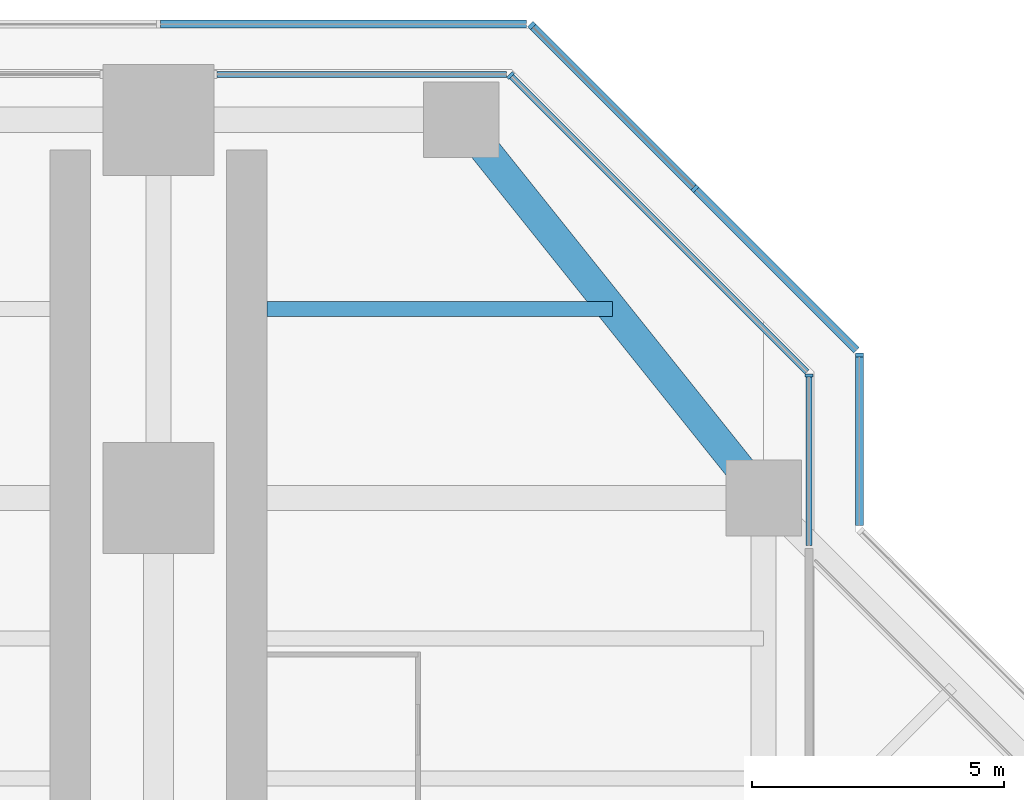
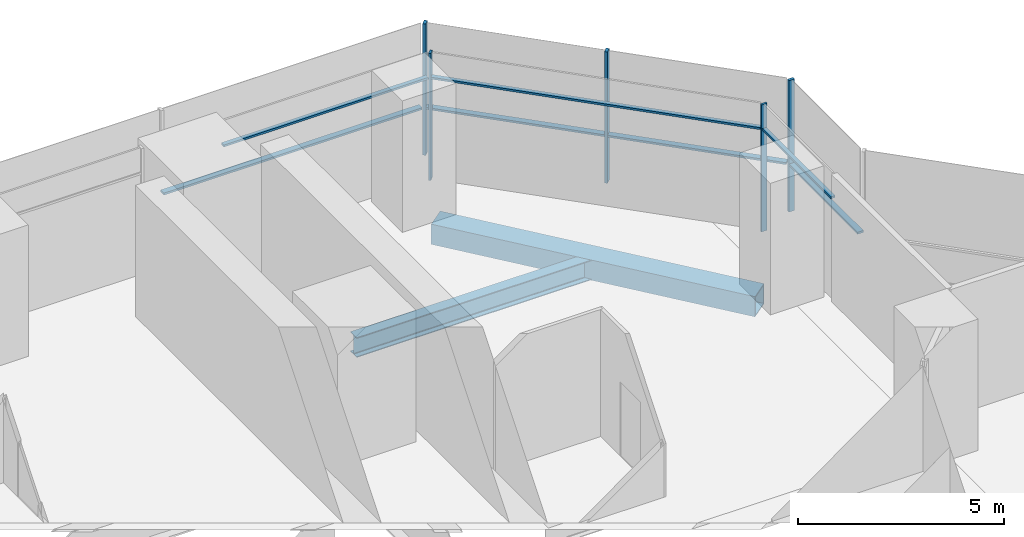
# One storey, part 9 of 17: 12 members, 2 beams, 6 elements without a shape of their own.
"""IFC4 building model written with IfcOpenShell, lengths in metres."""

from ifc_helpers import new_model, si_unit, direction, frame, origin, origin_2d, place, context, subcontext, project, spatial, rectangle, hollow_rectangle, i_section, extrude, material, material_profile, profile_set, type_object, element, aggregate, save


model = new_model("IFC4")

# Units and contexts
model_context = context("Model", 3, precision=1e-05, world=origin(), true_north=direction((0.0, 1.0)))
body_context = subcontext(model_context, "Body", "Model", "MODEL_VIEW")
ifc_project = project(units=[si_unit("LENGTHUNIT", "METRE"), si_unit("AREAUNIT", "SQUARE_METRE"), si_unit("VOLUMEUNIT", "CUBIC_METRE"), si_unit("PLANEANGLEUNIT", "RADIAN"), si_unit("MASSUNIT", "GRAM", prefix="KILO")], contexts=[model_context])

# Site, building, storey
site_placement = place(None, origin())
site = spatial("IfcSite", under=ifc_project, at=site_placement, CompositionType="ELEMENT")
building_placement = place(site_placement, origin())
building = spatial("IfcBuilding", under=site, at=building_placement, Name="Mizan Broadcast Tower", CompositionType="ELEMENT")
storey_placement = place(building_placement, frame((0.0, 0.0, 208.800048828125)))
storey = spatial("IfcBuildingStorey", under=building, at=storey_placement, Name="L48", CompositionType="ELEMENT", Elevation=208.800048828125)

# Beam
ifc_material_1 = material(Name="Steel S355", Category="steel")
ifc_material_profile_1 = material_profile(ifc_material_1, hollow_rectangle(XDim=0.60009765625, YDim=0.60009765625, WallThickness=0.030029296875, at=origin_2d()), Name="BOX 600x600x30")
ifc_profile_set_1 = profile_set([ifc_material_profile_1], Name="Steel S355")
beam_type_1 = type_object("IfcBeamType", Name="EDGE BEAM BOX 600x600x30", PredefinedType="SPANDREL", material=ifc_profile_set_1)
beam_1_placement = place(storey_placement, frame((11.639892578125, 19.949951171875, -0.429931640625), z_axis=(-0.624673911726, 0.780885717636, 0.0), x_axis=(-0.780885717636, -0.624673911726, 0.0)))
element("IfcBeam", 1, at=beam_1_placement, inside=storey, type_object=beam_type_1, Name="Edge beam BOX 600x600x30 L48 north arm", PredefinedType="SPANDREL", context=body_context, shape_type="SweptSolid", body=[
    extrude(hollow_rectangle(XDim=0.60009765625, YDim=0.60009765625, WallThickness=0.030029296875, at=origin_2d()), origin(), (0.0, 0.0, 1.0), 8.4521484375),
])

# Curtain wall, member
ifc_material_2 = material(Name="Aluminium framed glazing", Category="aluminium")
curtain_wall_type_1 = type_object("IfcCurtainWallType", Name="INNER SKIN HIGH ZONE", PredefinedType="USERDEFINED", material=ifc_material_2)
curtain_wall_1_placement = place(storey_placement, origin())
curtain_wall_1 = element("IfcCurtainWall", 2, at=curtain_wall_1_placement, inside=storey, type_object=curtain_wall_type_1, Name="Inner skin high zone L48 N side", ObjectType="INNER SKIN HIGH ZONE", PredefinedType="USERDEFINED")
ifc_material_3 = material(Name="Aluminium, pale anodised", Category="aluminium")
ifc_material_profile_2 = material_profile(ifc_material_3, rectangle(XDim=0.159912109375, YDim=0.06005859375, at=origin_2d()), Name="MULLION 160x60")
ifc_profile_set_2 = profile_set([ifc_material_profile_2], Name="Aluminium, pale anodised")
member_type_1 = type_object("IfcMemberType", Name="INNER SKIN MULLION 60x160", PredefinedType="MULLION", material=ifc_profile_set_2)
member_1_placement = place(storey_placement, frame((12.89990234375, 21.928466796875, 0.0), z_axis=(0.0, 0.0, 1.0), x_axis=(-1.0, 0.0, 0.0)))
member_1 = element("IfcMember", 3, at=member_1_placement, type_object=member_type_1, Name="Inner skin high zone L48 N side mullion 2", PredefinedType="MULLION", context=body_context, shape_type="SweptSolid", body=[
    extrude(rectangle(XDim=0.159912109375, YDim=0.06005859375, at=origin_2d()), origin(), (0.0, 0.0, 1.0), 3.77001953125),
])

curtain_wall_2_placement = place(storey_placement, origin())
curtain_wall_2 = element("IfcCurtainWall", 4, at=curtain_wall_2_placement, inside=storey, type_object=curtain_wall_type_1, Name="Inner skin high zone L48 N chamfer", ObjectType="INNER SKIN HIGH ZONE", PredefinedType="USERDEFINED")
member_2_placement = place(storey_placement, frame((6.979736328125, 27.87890625, 0.0), z_axis=(0.0, 0.0, 1.0), x_axis=(-0.707106781187, -0.707106781187, 0.0)))
member_2 = element("IfcMember", 5, at=member_2_placement, type_object=member_type_1, Name="Inner skin high zone L48 N chamfer mullion 2", PredefinedType="MULLION", context=body_context, shape_type="SweptSolid", body=[
    extrude(rectangle(XDim=0.159912109375, YDim=0.06005859375, at=origin_2d()), origin(), (0.0, 0.0, 1.0), 3.77001953125),
])

# Member
ifc_material_4 = material(Name="Aluminium, pale anodised", Category="aluminium")
ifc_material_profile_3 = material_profile(ifc_material_4, rectangle(XDim=0.1201171875, YDim=0.06005859375, at=origin_2d()), Name="TRANSOM 120x60")
ifc_profile_set_3 = profile_set([ifc_material_profile_3], Name="Aluminium, pale anodised")
member_type_2 = type_object("IfcMemberType", Name="INNER SKIN TRANSOM 60x120", PredefinedType="USERDEFINED", material=ifc_profile_set_3)
member_3_placement = place(storey_placement, frame((12.89990234375, 18.56005859375, 3.030029296875), z_axis=(0.0, 1.0, 0.0), x_axis=(-1.0, 0.0, 0.0)))
member_3 = element("IfcMember", 6, at=member_3_placement, type_object=member_type_2, Name="Inner skin high zone L48 N side transom 1.1", ObjectType="TRANSOM", PredefinedType="USERDEFINED", context=body_context, shape_type="SweptSolid", body=[
    extrude(rectangle(XDim=0.1201171875, YDim=0.06005859375, at=origin_2d()), origin(), (0.0, 0.0, 1.0), 3.338623046875),
])

aggregate(curtain_wall_1, [member_1, member_3])

member_4_placement = place(storey_placement, frame((12.857666015625, 22.0009765625, 3.030029296875), z_axis=(-0.707106781187, 0.707106781187, 0.0), x_axis=(-0.707106781187, -0.707106781187, 0.0)))
member_4 = element("IfcMember", 7, at=member_4_placement, type_object=member_type_2, Name="Inner skin high zone L48 N chamfer transom 1.1", ObjectType="TRANSOM", PredefinedType="USERDEFINED", context=body_context, shape_type="SweptSolid", body=[
    extrude(rectangle(XDim=0.1201171875, YDim=0.06005859375, at=origin_2d()), origin(), (0.0, 0.0, 1.0), 8.28271484375),
])

aggregate(curtain_wall_2, [member_2, member_4])

# Curtain wall, member
curtain_wall_3_placement = place(storey_placement, origin())
curtain_wall_3 = element("IfcCurtainWall", 8, at=curtain_wall_3_placement, inside=storey, type_object=curtain_wall_type_1, Name="Inner skin high zone L48 N end", ObjectType="INNER SKIN HIGH ZONE", PredefinedType="USERDEFINED")
member_5_placement = place(storey_placement, frame((6.898681640625, 27.89990234375, 3.030029296875), z_axis=(-1.0, 0.0, 0.0), x_axis=(0.0, -1.0, 0.0)))
member_5 = element("IfcMember", 9, at=member_5_placement, type_object=member_type_2, Name="Inner skin high zone L48 N end transom 1.1", ObjectType="TRANSOM", PredefinedType="USERDEFINED", context=body_context, shape_type="SweptSolid", body=[
    extrude(rectangle(XDim=0.1201171875, YDim=0.06005859375, at=origin_2d()), origin(), (0.0, 0.0, 1.0), 5.73876953125),
])
aggregate(curtain_wall_3, [member_5])

ifc_material_5 = material(Name="Aluminium framed glazing", Category="aluminium")
curtain_wall_type_2 = type_object("IfcCurtainWallType", Name="OUTER SKIN", PredefinedType="USERDEFINED", material=ifc_material_5)
curtain_wall_4_placement = place(storey_placement, origin())
curtain_wall_4 = element("IfcCurtainWall", 10, at=curtain_wall_4_placement, inside=storey, type_object=curtain_wall_type_2, Name="Outer skin L48 N side", ObjectType="OUTER SKIN", PredefinedType="USERDEFINED")
ifc_material_6 = material(Name="Aluminium, pale anodised", Category="aluminium")
ifc_material_profile_4 = material_profile(ifc_material_6, rectangle(XDim=0.159912109375, YDim=0.080078125, at=origin_2d()), Name="MULLION 160x80")
ifc_profile_set_4 = profile_set([ifc_material_profile_4], Name="Aluminium, pale anodised")
member_type_3 = type_object("IfcMemberType", Name="OUTER SKIN MULLION 80x160", PredefinedType="MULLION", material=ifc_profile_set_4)
member_6_placement = place(storey_placement, frame((13.89990234375, 22.332763671875, 0.0), z_axis=(0.0, 0.0, 1.0), x_axis=(-1.0, 0.0, 0.0)))
member_6 = element("IfcMember", 11, at=member_6_placement, type_object=member_type_3, Name="Outer skin L48 N side mullion 2", PredefinedType="MULLION", context=body_context, shape_type="SweptSolid", body=[
    extrude(rectangle(XDim=0.159912109375, YDim=0.080078125, at=origin_2d()), origin(), (0.0, 0.0, 1.0), 3.89990234375),
])

# Curtain wall, members
curtain_wall_5_placement = place(storey_placement, origin())
curtain_wall_5 = element("IfcCurtainWall", 12, at=curtain_wall_5_placement, inside=storey, type_object=curtain_wall_type_2, Name="Outer skin L48 N chamfer", ObjectType="OUTER SKIN", PredefinedType="USERDEFINED")
member_7_placement = place(storey_placement, frame((10.636474609375, 25.636474609375, 0.0), z_axis=(0.0, 0.0, 1.0), x_axis=(-0.707106781187, -0.707106781187, 0.0)))
member_7 = element("IfcMember", 13, at=member_7_placement, type_object=member_type_3, Name="Outer skin L48 N chamfer mullion 2", PredefinedType="MULLION", context=body_context, shape_type="SweptSolid", body=[
    extrude(rectangle(XDim=0.159912109375, YDim=0.080078125, at=origin_2d()), origin(), (0.0, 0.0, 1.0), 3.89990234375),
])
member_8_placement = place(storey_placement, frame((7.401123046875, 28.871826171875, 0.0), z_axis=(0.0, 0.0, 1.0), x_axis=(-0.707106781187, -0.707106781187, 0.0)))
member_8 = element("IfcMember", 14, at=member_8_placement, type_object=member_type_3, Name="Outer skin L48 N chamfer mullion 3", PredefinedType="MULLION", context=body_context, shape_type="SweptSolid", body=[
    extrude(rectangle(XDim=0.159912109375, YDim=0.080078125, at=origin_2d()), origin(), (0.0, 0.0, 1.0), 3.89990234375),
])

# Member
ifc_material_7 = material(Name="Aluminium, pale anodised", Category="aluminium")
ifc_material_profile_5 = material_profile(ifc_material_7, rectangle(XDim=0.159912109375, YDim=0.06005859375, at=origin_2d()), Name="TRANSOM 160x60")
ifc_profile_set_5 = profile_set([ifc_material_profile_5], Name="Aluminium, pale anodised")
member_type_4 = type_object("IfcMemberType", Name="OUTER SKIN TRANSOM 60x160", PredefinedType="USERDEFINED", material=ifc_profile_set_5)
member_9_placement = place(storey_placement, frame((13.89990234375, 18.952880859375, 1.39990234375), z_axis=(0.0, 1.0, 0.0), x_axis=(-1.0, 0.0, 0.0)))
member_9 = element("IfcMember", 15, at=member_9_placement, type_object=member_type_4, Name="Outer skin L48 N side transom 1.1", ObjectType="TRANSOM", PredefinedType="USERDEFINED", context=body_context, shape_type="SweptSolid", body=[
    extrude(rectangle(XDim=0.159912109375, YDim=0.06005859375, at=origin_2d()), origin(), (0.0, 0.0, 1.0), 3.33984375),
])

aggregate(curtain_wall_4, [member_6, member_9])

member_10_placement = place(storey_placement, frame((13.843505859375, 22.429443359375, 1.39990234375), z_axis=(-0.707106781187, 0.707106781187, 0.0), x_axis=(-0.707106781187, -0.707106781187, 0.0)))
member_10 = element("IfcMember", 16, at=member_10_placement, type_object=member_type_4, Name="Outer skin L48 N chamfer transom 1.1", ObjectType="TRANSOM", PredefinedType="USERDEFINED", context=body_context, shape_type="SweptSolid", body=[
    extrude(rectangle(XDim=0.159912109375, YDim=0.06005859375, at=origin_2d()), origin(), (0.0, 0.0, 1.0), 4.495361328125),
])

member_11_placement = place(storey_placement, frame((10.608154296875, 25.664794921875, 1.39990234375), z_axis=(-0.707106781187, 0.707106781187, 0.0), x_axis=(-0.707106781187, -0.707106781187, 0.0)))
member_11 = element("IfcMember", 17, at=member_11_placement, type_object=member_type_4, Name="Outer skin L48 N chamfer transom 2.1", ObjectType="TRANSOM", PredefinedType="USERDEFINED", context=body_context, shape_type="SweptSolid", body=[
    extrude(rectangle(XDim=0.159912109375, YDim=0.06005859375, at=origin_2d()), origin(), (0.0, 0.0, 1.0), 4.495361328125),
])

aggregate(curtain_wall_5, [member_7, member_8, member_10, member_11])

# Curtain wall, member
curtain_wall_6_placement = place(storey_placement, origin())
curtain_wall_6 = element("IfcCurtainWall", 18, at=curtain_wall_6_placement, inside=storey, type_object=curtain_wall_type_2, Name="Outer skin L48 N end", ObjectType="OUTER SKIN", PredefinedType="USERDEFINED")
member_12_placement = place(storey_placement, frame((7.292724609375, 28.89990234375, 1.39990234375), z_axis=(-1.0, 0.0, 0.0), x_axis=(0.0, -1.0, 0.0)))
member_12 = element("IfcMember", 19, at=member_12_placement, type_object=member_type_4, Name="Outer skin L48 N end transom 1.1", ObjectType="TRANSOM", PredefinedType="USERDEFINED", context=body_context, shape_type="SweptSolid", body=[
    extrude(rectangle(XDim=0.159912109375, YDim=0.06005859375, at=origin_2d()), origin(), (0.0, 0.0, 1.0), 7.252685546875),
])
aggregate(curtain_wall_6, [member_12])

# Beam
ifc_material_8 = material(Name="Steel S355", Category="steel")
ifc_material_profile_6 = material_profile(ifc_material_8, i_section(OverallWidth=0.300048828125, OverallDepth=0.590087890625, WebThickness=0.012939453125, FlangeThickness=0.02490234375, FilletRadius=0.027099609375, at=origin_2d()), Name="HEA 600")
ifc_profile_set_6 = profile_set([ifc_material_profile_6], Name="Steel S355")
beam_type_2 = type_object("IfcBeamType", Name="SECONDARY BEAM HEA 600", PredefinedType="JOIST", material=ifc_profile_set_6)
beam_2_placement = place(storey_placement, frame((9.0, 23.25, -0.425048828125), z_axis=(-1.0, 0.0, 0.0), x_axis=(0.0, -1.0, 0.0)))
element("IfcBeam", 20, at=beam_2_placement, inside=storey, type_object=beam_type_2, Name="Secondary beam HEA 600 L48 north arm", PredefinedType="JOIST", context=body_context, shape_type="SweptSolid", body=[
    extrude(i_section(OverallWidth=0.300048828125, OverallDepth=0.590087890625, WebThickness=0.012939453125, FlangeThickness=0.02490234375, FilletRadius=0.027099609375, at=origin_2d()), origin(), (0.0, 0.0, 1.0), 6.85009765625),
])

save(model, "model.ifc")
